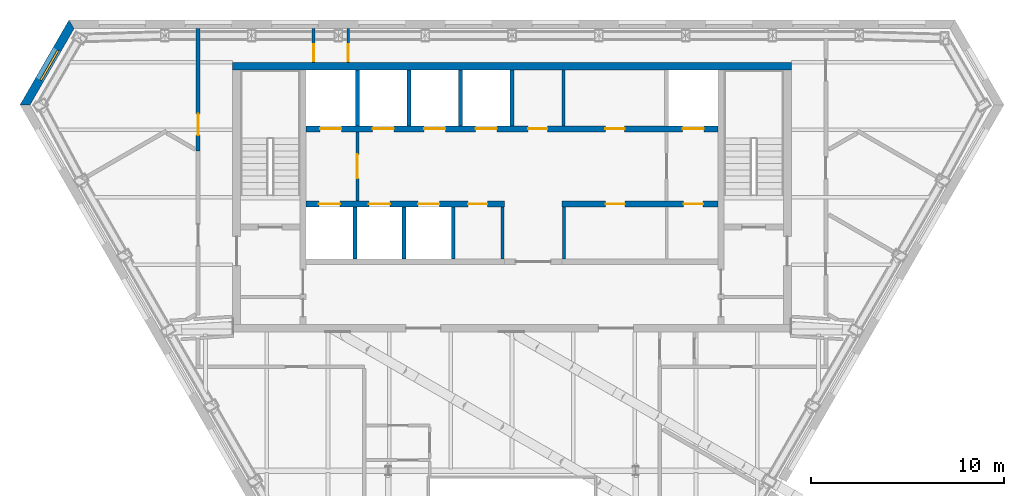
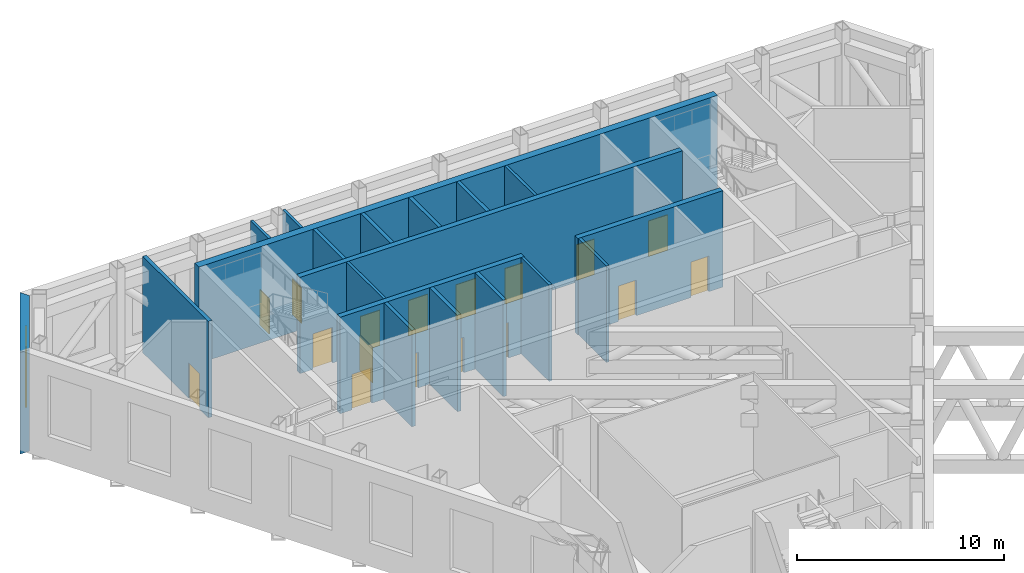
# One storey, part 9 of 14: 19 walls, 17 doors, 1 shading device, 18 openings.
"""IFC4 building model written with IfcOpenShell, lengths in metres."""

from ifc_helpers import new_model, si_unit, direction, frame, frame_2d, origin, place, context, subcontext, project, spatial, polyline, rectangle, outline, extrude, material, layer, layer_set, type_object, element, fill, save


model = new_model("IFC4")

# Units and contexts
model_context = context("Model", 3, precision=1e-05, world=origin(), true_north=direction((0.0, 1.0)))
body_context = subcontext(model_context, "Body", "Model", "MODEL_VIEW")
ifc_project = project(units=[si_unit("LENGTHUNIT", "METRE"), si_unit("AREAUNIT", "SQUARE_METRE"), si_unit("VOLUMEUNIT", "CUBIC_METRE"), si_unit("PLANEANGLEUNIT", "RADIAN"), si_unit("MASSUNIT", "GRAM", prefix="KILO")], contexts=[model_context])

# Site, building, storey
site_placement = place(None, origin())
site = spatial("IfcSite", under=ifc_project, at=site_placement, CompositionType="ELEMENT")
building_placement = place(site_placement, origin())
building = spatial("IfcBuilding", under=site, at=building_placement, Name="Njiva Tower", CompositionType="ELEMENT")
storey_placement = place(building_placement, frame((0.0, 0.0, 292.2)))
storey = spatial("IfcBuildingStorey", under=building, at=storey_placement, Name="L67", CompositionType="ELEMENT", Elevation=292.2)

# Walls
ifc_material_1 = material(Name="Blockwork", Category="masonry")
ifc_layer_1 = layer(ifc_material_1, 0.15)
ifc_layer_set_1 = layer_set([ifc_layer_1], Name="Blockwork")
wall_type_1 = type_object("IfcWallType", Name="WT1 Compartment partition 150", PredefinedType="PARTITIONING", material=ifc_layer_set_1)
wall_1_placement = place(storey_placement, frame((2.675, 14.7, 0.0), z_axis=(0.0, 0.0, 1.0), x_axis=(0.0, 1.0, 0.0)))
element("IfcWall", 1, at=wall_1_placement, inside=storey, type_object=wall_type_1, Name="Partition CN5", PredefinedType="PARTITIONING", context=body_context, shape_type="SweptSolid", body=[
    extrude(rectangle(XDim=2.9, YDim=0.15, at=frame_2d((1.45, 0.0))), origin(), (0.0, 0.0, 1.0), 5.7),
])
for number, where, z_axis, x_axis, name in (
    (2, (-0.5, 7.8, 0.0), (0.0, 0.0, 1.0), (0.0, 1.0, 0.0), "Partition CS4"),
    (3, (2.7, 7.8, 0.0), (0.0, 0.0, 1.0), (0.0, 1.0, 0.0), "Partition CS5"),
):
    element("IfcWall", number, at=place(storey_placement, frame(where, z_axis=z_axis, x_axis=x_axis)), inside=storey, type_object=wall_type_1, Name=name, PredefinedType="PARTITIONING", context=body_context, shape_type="SweptSolid", body=[
        extrude(rectangle(XDim=2.7, YDim=0.15, at=frame_2d((1.35, 0.0))), origin(), (0.0, 0.0, 1.0), 5.7),
    ])
ifc_material_2 = material(Name="Concrete C60/75", Category="concrete")
ifc_layer_2 = layer(ifc_material_2, 0.4)
ifc_layer_set_2 = layer_set([ifc_layer_2], Name="Concrete C60/75")
wall_type_2 = type_object("IfcWallType", Name="WT11 Core wall 400", PredefinedType="SHEAR", material=ifc_layer_set_2)
wall_2_placement = place(storey_placement, frame((-14.5, 17.8, 0.0), z_axis=(0.0, 0.0, 1.0), x_axis=(1.0, 0.0, 0.0)))
element("IfcWall", 4, at=wall_2_placement, inside=storey, type_object=wall_type_2, Name="Core wall north", PredefinedType="SHEAR", context=body_context, shape_type="SweptSolid", body=[
    extrude(rectangle(XDim=29.0, YDim=0.4, at=frame_2d((14.5, 0.0))), origin(), (0.0, 0.0, 1.0), 5.7),
])

# Wall, opening, door
ifc_layer_3 = layer(ifc_material_1, 0.15)
ifc_layer_set_3 = layer_set([ifc_layer_3], Name="Blockwork")
wall_type_3 = type_object("IfcWallType", Name="WT2 Lobby partition 150", PredefinedType="PARTITIONING", material=ifc_layer_set_3)
wall_3_placement = place(storey_placement, frame((-8.025, 10.8, 0.0), z_axis=(0.0, 0.0, 1.0), x_axis=(0.0, 1.0, 0.0)))
wall_3 = element("IfcWall", 5, at=wall_3_placement, inside=storey, type_object=wall_type_3, Name="Firefighting lobby wall A", PredefinedType="PARTITIONING", context=body_context, shape_type="SweptSolid", body=[
    extrude(rectangle(XDim=3.6, YDim=0.15, at=frame_2d((1.8, 0.0))), origin(), (0.0, 0.0, 1.0), 5.7),
])
opening_1_placement = place(wall_3_placement, frame((1.175, 0.0, 0.0)))
opening_1 = element("IfcOpeningElement", 6, at=opening_1_placement, cuts=wall_3, Name="Opening T5-D914", PredefinedType="OPENING", context=body_context, shape_type="SweptSolid", body=[
    extrude(rectangle(XDim=1.25, YDim=2.1, at=frame_2d((0.625, 1.05))), frame((0.0, 0.085, 0.0), z_axis=(0.0, -1.0, 0.0), x_axis=(1.0, 0.0, 0.0)), (0.0, 0.0, 1.0), 0.17),
])
ifc_material_3 = material(Name="Glazed steel fire door", Category="steel")
door_type_1 = type_object("IfcDoorType", Name="D8 Vestibule corridor door 1250x2100 glazed", OperationType="SINGLE_SWING_LEFT", PredefinedType="DOOR", material=ifc_material_3)
door_1_placement = place(opening_1_placement, origin())
door_1 = element("IfcDoor", 7, at=door_1_placement, inside=storey, type_object=door_type_1, Name="Stair vestibule corridor door", OperationType="SINGLE_SWING_RIGHT", OverallHeight=2.1, OverallWidth=1.25, PredefinedType="DOOR", context=body_context, shape_type="SweptSolid", body=[
    extrude(rectangle(XDim=1.25, YDim=2.1, at=frame_2d((0.625, 1.05))), frame((0.0, 0.025, 0.0), z_axis=(0.0, -1.0, 0.0), x_axis=(1.0, 0.0, 0.0)), (0.0, 0.0, 1.0), 0.05),
])
fill(opening_1, door_1)

ifc_material_4 = material(Name="Gypsum board on steel studs", Category="gypsum")
ifc_layer_4 = layer(ifc_material_4, 0.15)
ifc_layer_set_4 = layer_set([ifc_layer_4], Name="Gypsum board on steel studs")
wall_type_4 = type_object("IfcWallType", Name="WT21 Compartment wall 150", PredefinedType="PARTITIONING", material=ifc_layer_set_4)
wall_4_placement = place(storey_placement, frame((-10.3, 18.0, 0.0), z_axis=(0.0, 0.0, 1.0), x_axis=(0.0, 1.0, 0.0)))
wall_4 = element("IfcWall", 8, at=wall_4_placement, inside=storey, type_object=wall_type_4, Name="Partition T5-P013", PredefinedType="PARTITIONING", context=body_context, shape_type="SweptSolid", body=[
    extrude(rectangle(XDim=1.75, YDim=0.15, at=frame_2d((0.875, 0.0))), origin(), (0.0, 0.0, 1.0), 5.7),
])
opening_2_placement = place(wall_4_placement, frame((0.05, 0.0, 0.0)))
opening_2 = element("IfcOpeningElement", 9, at=opening_2_placement, cuts=wall_4, Name="Opening T5-D004", PredefinedType="OPENING", context=body_context, shape_type="SweptSolid", body=[
    extrude(rectangle(XDim=0.9, YDim=2.1, at=frame_2d((0.45, 1.05))), frame((0.0, 0.085, 0.0), z_axis=(0.0, -1.0, 0.0), x_axis=(1.0, 0.0, 0.0)), (0.0, 0.0, 1.0), 0.17),
])
ifc_material_5 = material(Name="Steel fire door set", Category="steel")
door_type_2 = type_object("IfcDoorType", Name="D36 Fire door 900x2100", OperationType="SINGLE_SWING_LEFT", PredefinedType="DOOR", material=ifc_material_5)
door_2_placement = place(opening_2_placement, origin())
door_2 = element("IfcDoor", 10, at=door_2_placement, inside=storey, type_object=door_type_2, Name="Door T5-D004", OperationType="SINGLE_SWING_RIGHT", OverallHeight=2.1, OverallWidth=0.9, PredefinedType="DOOR", context=body_context, shape_type="SweptSolid", body=[
    extrude(rectangle(XDim=0.9, YDim=2.1, at=frame_2d((0.45, 1.05))), frame((0.0, 0.025, 0.0), z_axis=(0.0, -1.0, 0.0), x_axis=(1.0, 0.0, 0.0)), (0.0, 0.0, 1.0), 0.05),
])
fill(opening_2, door_2)

wall_5_placement = place(storey_placement, frame((-8.5, 18.0, 0.0), z_axis=(0.0, 0.0, 1.0), x_axis=(0.0, 1.0, 0.0)))
wall_5 = element("IfcWall", 11, at=wall_5_placement, inside=storey, type_object=wall_type_4, Name="Partition T5-P014", PredefinedType="PARTITIONING", context=body_context, shape_type="SweptSolid", body=[
    extrude(rectangle(XDim=1.75, YDim=0.15, at=frame_2d((0.875, 0.0))), origin(), (0.0, 0.0, 1.0), 5.7),
])
opening_3_placement = place(wall_5_placement, frame((0.05, 0.0, 0.0)))
opening_3 = element("IfcOpeningElement", 12, at=opening_3_placement, cuts=wall_5, Name="Opening T5-D005", PredefinedType="OPENING", context=body_context, shape_type="SweptSolid", body=[
    extrude(rectangle(XDim=0.9, YDim=2.1, at=frame_2d((0.45, 1.05))), frame((0.0, 0.085, 0.0), z_axis=(0.0, -1.0, 0.0), x_axis=(1.0, 0.0, 0.0)), (0.0, 0.0, 1.0), 0.17),
])
door_3_placement = place(opening_3_placement, origin())
door_3 = element("IfcDoor", 13, at=door_3_placement, inside=storey, type_object=door_type_2, Name="Door T5-D005", OperationType="SINGLE_SWING_LEFT", OverallHeight=2.1, OverallWidth=0.9, PredefinedType="DOOR", context=body_context, shape_type="SweptSolid", body=[
    extrude(rectangle(XDim=0.9, YDim=2.1, at=frame_2d((0.45, 1.05))), frame((0.0, 0.025, 0.0), z_axis=(0.0, -1.0, 0.0), x_axis=(1.0, 0.0, 0.0)), (0.0, 0.0, 1.0), 0.05),
])
fill(opening_3, door_3)

ifc_layer_5 = layer(ifc_material_1, 0.2)
ifc_layer_set_5 = layer_set([ifc_layer_5], Name="Blockwork")
wall_type_5 = type_object("IfcWallType", Name="WT23 Refuge wall 200", PredefinedType="PARTITIONING", material=ifc_layer_set_5)
wall_6_placement = place(storey_placement, frame((-16.301, 13.395, 0.0), z_axis=(0.0, 0.0, 1.0), x_axis=(0.00015735641, 0.999999987619, 0.0)))
wall_6 = element("IfcWall", 14, at=wall_6_placement, inside=storey, type_object=wall_type_5, Name="Partition T5-P008", PredefinedType="PARTITIONING", context=body_context, shape_type="SweptSolid", body=[
    extrude(rectangle(XDim=6.355, YDim=0.2, at=frame_2d((3.1775, 0.0))), origin(), (0.0, 0.0, 1.0), 5.7),
])
opening_4_placement = place(wall_6_placement, frame((0.827, 0.0, 0.0)))
opening_4 = element("IfcOpeningElement", 15, at=opening_4_placement, cuts=wall_6, Name="Opening T5-D002", PredefinedType="OPENING", context=body_context, shape_type="SweptSolid", body=[
    extrude(rectangle(XDim=1.1, YDim=2.1, at=frame_2d((0.55, 1.05))), frame((0.0, 0.11, 0.0), z_axis=(0.0, -1.0, 0.0), x_axis=(1.0, 0.0, 0.0)), (0.0, 0.0, 1.0), 0.22),
])
ifc_material_6 = material(Name="Steel door set", Category="steel")
door_type_3 = type_object("IfcDoorType", Name="D35 Refuge door 1100x2100", OperationType="SINGLE_SWING_LEFT", PredefinedType="DOOR", material=ifc_material_6)
door_4_placement = place(opening_4_placement, origin())
door_4 = element("IfcDoor", 16, at=door_4_placement, inside=storey, type_object=door_type_3, Name="Door T5-D002", OperationType="SINGLE_SWING_RIGHT", OverallHeight=2.1, OverallWidth=1.1, PredefinedType="DOOR", context=body_context, shape_type="SweptSolid", body=[
    extrude(rectangle(XDim=1.1, YDim=2.1, at=frame_2d((0.55, 1.05))), frame((0.0, 0.025, 0.0), z_axis=(0.0, -1.0, 0.0), x_axis=(1.0, 0.0, 0.0)), (0.0, 0.0, 1.0), 0.05),
])
fill(opening_4, door_4)

# Walls
ifc_material_7 = material(Name="Concrete C40/50", Category="concrete")
ifc_layer_6 = layer(ifc_material_7, 0.2)
ifc_layer_set_6 = layer_set([ifc_layer_6], Name="Concrete C40/50")
wall_type_6 = type_object("IfcWallType", Name="WT6 Lift shaft wall 200", PredefinedType="SHEAR", material=ifc_layer_set_6)
for number, where, z_axis, x_axis, name in (
    (17, (-8.025, 14.7, 0.0), (0.0, 0.0, 1.0), (0.0, 1.0, 0.0), "Shaft wall CN1"),
    (18, (-5.35, 14.7, 0.0), (0.0, 0.0, 1.0), (0.0, 1.0, 0.0), "Shaft wall CN2"),
    (19, (-2.675, 14.7, 0.0), (0.0, 0.0, 1.0), (0.0, 1.0, 0.0), "Shaft wall CN3"),
    (20, (0.0, 14.7, 0.0), (0.0, 0.0, 1.0), (0.0, 1.0, 0.0), "Shaft wall CN4"),
):
    element("IfcWall", number, at=place(storey_placement, frame(where, z_axis=z_axis, x_axis=x_axis)), inside=storey, type_object=wall_type_6, Name=name, PredefinedType="SHEAR", context=body_context, shape_type="SweptSolid", body=[
        extrude(rectangle(XDim=2.9, YDim=0.2, at=frame_2d((1.45, 0.0))), origin(), (0.0, 0.0, 1.0), 5.7),
    ])
for number, where, z_axis, x_axis, name in (
    (21, (-8.15, 7.8, 0.0), (0.0, 0.0, 1.0), (0.0, 1.0, 0.0), "Shaft wall CS1"),
    (22, (-5.6, 7.8, 0.0), (0.0, 0.0, 1.0), (0.0, 1.0, 0.0), "Shaft wall CS2"),
    (23, (-3.05, 7.8, 0.0), (0.0, 0.0, 1.0), (0.0, 1.0, 0.0), "Shaft wall CS3"),
):
    element("IfcWall", number, at=place(storey_placement, frame(where, z_axis=z_axis, x_axis=x_axis)), inside=storey, type_object=wall_type_6, Name=name, PredefinedType="SHEAR", context=body_context, shape_type="SweptSolid", body=[
        extrude(rectangle(XDim=2.7, YDim=0.2, at=frame_2d((1.35, 0.0))), origin(), (0.0, 0.0, 1.0), 5.7),
    ])

# Wall, openings, doors
ifc_layer_7 = layer(ifc_material_7, 0.3)
ifc_layer_set_7 = layer_set([ifc_layer_7], Name="Concrete C40/50")
wall_type_7 = type_object("IfcWallType", Name="WT7 Lift shaft wall 300", PredefinedType="SHEAR", material=ifc_layer_set_7)
wall_7_placement = place(storey_placement, frame((-10.7, 14.55, 0.0), z_axis=(0.0, 0.0, 1.0), x_axis=(1.0, 0.0, 0.0)))
wall_7 = element("IfcWall", 24, at=wall_7_placement, inside=storey, type_object=wall_type_7, Name="Shaft wall north row lobby side", PredefinedType="SHEAR", context=body_context, shape_type="SweptSolid", body=[
    extrude(rectangle(XDim=21.4, YDim=0.3, at=frame_2d((10.7, 0.0))), origin(), (0.0, 0.0, 1.0), 5.7),
])
opening_5_placement = place(wall_7_placement, frame((0.7375, 0.0, 0.0)))
opening_5 = element("IfcOpeningElement", 25, at=opening_5_placement, cuts=wall_7, Name="Opening T5-D901", PredefinedType="OPENING", context=body_context, shape_type="SweptSolid", body=[
    extrude(rectangle(XDim=1.1, YDim=2.1, at=frame_2d((0.55, 1.05))), frame((0.0, 0.16, 0.0), z_axis=(0.0, -1.0, 0.0), x_axis=(1.0, 0.0, 0.0)), (0.0, 0.0, 1.0), 0.32),
])
opening_6_placement = place(wall_7_placement, frame((3.4625, 0.0, 0.0)))
opening_6 = element("IfcOpeningElement", 26, at=opening_6_placement, cuts=wall_7, Name="Opening T5-D902", PredefinedType="OPENING", context=body_context, shape_type="SweptSolid", body=[
    extrude(rectangle(XDim=1.1, YDim=2.1, at=frame_2d((0.55, 1.05))), frame((0.0, 0.16, 0.0), z_axis=(0.0, -1.0, 0.0), x_axis=(1.0, 0.0, 0.0)), (0.0, 0.0, 1.0), 0.32),
])
opening_7_placement = place(wall_7_placement, frame((6.1375, 0.0, 0.0)))
opening_7 = element("IfcOpeningElement", 27, at=opening_7_placement, cuts=wall_7, Name="Opening T5-D903", PredefinedType="OPENING", context=body_context, shape_type="SweptSolid", body=[
    extrude(rectangle(XDim=1.1, YDim=2.1, at=frame_2d((0.55, 1.05))), frame((0.0, 0.16, 0.0), z_axis=(0.0, -1.0, 0.0), x_axis=(1.0, 0.0, 0.0)), (0.0, 0.0, 1.0), 0.32),
])
opening_8_placement = place(wall_7_placement, frame((8.8125, 0.0, 0.0)))
opening_8 = element("IfcOpeningElement", 28, at=opening_8_placement, cuts=wall_7, Name="Opening T5-D904", PredefinedType="OPENING", context=body_context, shape_type="SweptSolid", body=[
    extrude(rectangle(XDim=1.1, YDim=2.1, at=frame_2d((0.55, 1.05))), frame((0.0, 0.16, 0.0), z_axis=(0.0, -1.0, 0.0), x_axis=(1.0, 0.0, 0.0)), (0.0, 0.0, 1.0), 0.32),
])
opening_9_placement = place(wall_7_placement, frame((19.5625, 0.0, 0.0)))
opening_9 = element("IfcOpeningElement", 29, at=opening_9_placement, cuts=wall_7, Name="Opening T5-D905", PredefinedType="OPENING", context=body_context, shape_type="SweptSolid", body=[
    extrude(rectangle(XDim=1.1, YDim=2.1, at=frame_2d((0.55, 1.05))), frame((0.0, 0.16, 0.0), z_axis=(0.0, -1.0, 0.0), x_axis=(1.0, 0.0, 0.0)), (0.0, 0.0, 1.0), 0.32),
])
opening_10_placement = place(wall_7_placement, frame((11.5375, 0.0, 0.0)))
opening_10 = element("IfcOpeningElement", 30, at=opening_10_placement, cuts=wall_7, Name="Opening T5-D909", PredefinedType="OPENING", context=body_context, shape_type="SweptSolid", body=[
    extrude(rectangle(XDim=1.0, YDim=2.1, at=frame_2d((0.5, 1.05))), frame((0.0, 0.16, 0.0), z_axis=(0.0, -1.0, 0.0), x_axis=(1.0, 0.0, 0.0)), (0.0, 0.0, 1.0), 0.32),
])
opening_11_placement = place(wall_7_placement, frame((15.55, 0.0, 0.0)))
opening_11 = element("IfcOpeningElement", 31, at=opening_11_placement, cuts=wall_7, Name="Opening T5-D910", PredefinedType="OPENING", context=body_context, shape_type="SweptSolid", body=[
    extrude(rectangle(XDim=1.0, YDim=2.1, at=frame_2d((0.5, 1.05))), frame((0.0, 0.16, 0.0), z_axis=(0.0, -1.0, 0.0), x_axis=(1.0, 0.0, 0.0)), (0.0, 0.0, 1.0), 0.32),
])
ifc_material_8 = material(Name="Steel door, painted", Category="steel")
door_type_4 = type_object("IfcDoorType", Name="D5 Steel door 1000x2100", OperationType="SINGLE_SWING_LEFT", PredefinedType="DOOR", material=ifc_material_8)
door_5_placement = place(opening_10_placement, origin())
door_5 = element("IfcDoor", 32, at=door_5_placement, inside=storey, type_object=door_type_4, Name="Mechanical plant room door", OperationType="SINGLE_SWING_LEFT", OverallHeight=2.1, OverallWidth=1.0, PredefinedType="DOOR", context=body_context, shape_type="SweptSolid", body=[
    extrude(rectangle(XDim=1.0, YDim=2.1, at=frame_2d((0.5, 1.05))), frame((0.0, 0.025, 0.0), z_axis=(0.0, -1.0, 0.0), x_axis=(1.0, 0.0, 0.0)), (0.0, 0.0, 1.0), 0.05),
])
fill(opening_10, door_5)
door_6_placement = place(opening_11_placement, origin())
door_6 = element("IfcDoor", 33, at=door_6_placement, inside=storey, type_object=door_type_4, Name="Pump plant room door", OperationType="SINGLE_SWING_LEFT", OverallHeight=2.1, OverallWidth=1.0, PredefinedType="DOOR", context=body_context, shape_type="SweptSolid", body=[
    extrude(rectangle(XDim=1.0, YDim=2.1, at=frame_2d((0.5, 1.05))), frame((0.0, 0.025, 0.0), z_axis=(0.0, -1.0, 0.0), x_axis=(1.0, 0.0, 0.0)), (0.0, 0.0, 1.0), 0.05),
])
fill(opening_11, door_6)
ifc_material_9 = material(Name="Stainless steel sliding door", Category="steel")
door_type_5 = type_object("IfcDoorType", Name="LD Lift landing door 1100x2100", OperationType="SLIDING_TO_LEFT", PredefinedType="DOOR", material=ifc_material_9)
door_7_placement = place(opening_5_placement, origin())
door_7 = element("IfcDoor", 34, at=door_7_placement, inside=storey, type_object=door_type_5, Name="Lift landing door FF1", OperationType="SLIDING_TO_LEFT", OverallHeight=2.1, OverallWidth=1.1, PredefinedType="DOOR", context=body_context, shape_type="SweptSolid", body=[
    extrude(rectangle(XDim=1.1, YDim=2.1, at=frame_2d((0.55, 1.05))), frame((0.0, 0.025, 0.0), z_axis=(0.0, -1.0, 0.0), x_axis=(1.0, 0.0, 0.0)), (0.0, 0.0, 1.0), 0.05),
])
fill(opening_5, door_7)
door_8_placement = place(opening_6_placement, origin())
door_8 = element("IfcDoor", 35, at=door_8_placement, inside=storey, type_object=door_type_5, Name="Lift landing door HB4", OperationType="SLIDING_TO_LEFT", OverallHeight=2.1, OverallWidth=1.1, PredefinedType="DOOR", context=body_context, shape_type="SweptSolid", body=[
    extrude(rectangle(XDim=1.1, YDim=2.1, at=frame_2d((0.55, 1.05))), frame((0.0, 0.025, 0.0), z_axis=(0.0, -1.0, 0.0), x_axis=(1.0, 0.0, 0.0)), (0.0, 0.0, 1.0), 0.05),
])
fill(opening_6, door_8)
door_9_placement = place(opening_7_placement, origin())
door_9 = element("IfcDoor", 36, at=door_9_placement, inside=storey, type_object=door_type_5, Name="Lift landing door HB5", OperationType="SLIDING_TO_LEFT", OverallHeight=2.1, OverallWidth=1.1, PredefinedType="DOOR", context=body_context, shape_type="SweptSolid", body=[
    extrude(rectangle(XDim=1.1, YDim=2.1, at=frame_2d((0.55, 1.05))), frame((0.0, 0.025, 0.0), z_axis=(0.0, -1.0, 0.0), x_axis=(1.0, 0.0, 0.0)), (0.0, 0.0, 1.0), 0.05),
])
fill(opening_7, door_9)
door_10_placement = place(opening_8_placement, origin())
door_10 = element("IfcDoor", 37, at=door_10_placement, inside=storey, type_object=door_type_5, Name="Lift landing door HB6", OperationType="SLIDING_TO_LEFT", OverallHeight=2.1, OverallWidth=1.1, PredefinedType="DOOR", context=body_context, shape_type="SweptSolid", body=[
    extrude(rectangle(XDim=1.1, YDim=2.1, at=frame_2d((0.55, 1.05))), frame((0.0, 0.025, 0.0), z_axis=(0.0, -1.0, 0.0), x_axis=(1.0, 0.0, 0.0)), (0.0, 0.0, 1.0), 0.05),
])
fill(opening_8, door_10)
door_11_placement = place(opening_9_placement, origin())
door_11 = element("IfcDoor", 38, at=door_11_placement, inside=storey, type_object=door_type_5, Name="Lift landing door FF2", OperationType="SLIDING_TO_LEFT", OverallHeight=2.1, OverallWidth=1.1, PredefinedType="DOOR", context=body_context, shape_type="SweptSolid", body=[
    extrude(rectangle(XDim=1.1, YDim=2.1, at=frame_2d((0.55, 1.05))), frame((0.0, 0.025, 0.0), z_axis=(0.0, -1.0, 0.0), x_axis=(1.0, 0.0, 0.0)), (0.0, 0.0, 1.0), 0.05),
])
fill(opening_9, door_11)

wall_8_placement = place(storey_placement, frame((-10.7, 10.65, 0.0), z_axis=(0.0, 0.0, 1.0), x_axis=(1.0, 0.0, 0.0)))
wall_8 = element("IfcWall", 39, at=wall_8_placement, inside=storey, type_object=wall_type_7, Name="Shaft wall south row lobby side W", PredefinedType="SHEAR", context=body_context, shape_type="SweptSolid", body=[
    extrude(rectangle(XDim=10.3, YDim=0.3, at=frame_2d((5.15, 0.0))), origin(), (0.0, 0.0, 1.0), 5.7),
])
opening_12_placement = place(wall_8_placement, frame((0.675, 0.0, 0.0)))
opening_12 = element("IfcOpeningElement", 40, at=opening_12_placement, cuts=wall_8, Name="Opening T5-D906", PredefinedType="OPENING", context=body_context, shape_type="SweptSolid", body=[
    extrude(rectangle(XDim=1.1, YDim=2.1, at=frame_2d((0.55, 1.05))), frame((0.0, 0.16, 0.0), z_axis=(0.0, -1.0, 0.0), x_axis=(1.0, 0.0, 0.0)), (0.0, 0.0, 1.0), 0.32),
])
opening_13_placement = place(wall_8_placement, frame((3.275, 0.0, 0.0)))
opening_13 = element("IfcOpeningElement", 41, at=opening_13_placement, cuts=wall_8, Name="Opening T5-D907", PredefinedType="OPENING", context=body_context, shape_type="SweptSolid", body=[
    extrude(rectangle(XDim=1.1, YDim=2.1, at=frame_2d((0.55, 1.05))), frame((0.0, 0.16, 0.0), z_axis=(0.0, -1.0, 0.0), x_axis=(1.0, 0.0, 0.0)), (0.0, 0.0, 1.0), 0.32),
])
opening_14_placement = place(wall_8_placement, frame((5.825, 0.0, 0.0)))
opening_14 = element("IfcOpeningElement", 42, at=opening_14_placement, cuts=wall_8, Name="Opening T5-D908", PredefinedType="OPENING", context=body_context, shape_type="SweptSolid", body=[
    extrude(rectangle(XDim=1.1, YDim=2.1, at=frame_2d((0.55, 1.05))), frame((0.0, 0.16, 0.0), z_axis=(0.0, -1.0, 0.0), x_axis=(1.0, 0.0, 0.0)), (0.0, 0.0, 1.0), 0.32),
])
opening_15_placement = place(wall_8_placement, frame((8.425, 0.0, 0.0)))
opening_15 = element("IfcOpeningElement", 43, at=opening_15_placement, cuts=wall_8, Name="Opening T5-D911", PredefinedType="OPENING", context=body_context, shape_type="SweptSolid", body=[
    extrude(rectangle(XDim=1.0, YDim=2.1, at=frame_2d((0.5, 1.05))), frame((0.0, 0.16, 0.0), z_axis=(0.0, -1.0, 0.0), x_axis=(1.0, 0.0, 0.0)), (0.0, 0.0, 1.0), 0.32),
])
door_12_placement = place(opening_15_placement, origin())
door_12 = element("IfcDoor", 44, at=door_12_placement, inside=storey, type_object=door_type_4, Name="Ventilation plant room door", OperationType="SINGLE_SWING_RIGHT", OverallHeight=2.1, OverallWidth=1.0, PredefinedType="DOOR", context=body_context, shape_type="SweptSolid", body=[
    extrude(rectangle(XDim=1.0, YDim=2.1, at=frame_2d((0.5, 1.05))), frame((0.0, 0.025, 0.0), z_axis=(0.0, -1.0, 0.0), x_axis=(1.0, 0.0, 0.0)), (0.0, 0.0, 1.0), 0.05),
])
fill(opening_15, door_12)
door_13_placement = place(opening_12_placement, origin())
door_13 = element("IfcDoor", 45, at=door_13_placement, inside=storey, type_object=door_type_5, Name="Lift landing door HB1", OperationType="SLIDING_TO_LEFT", OverallHeight=2.1, OverallWidth=1.1, PredefinedType="DOOR", context=body_context, shape_type="SweptSolid", body=[
    extrude(rectangle(XDim=1.1, YDim=2.1, at=frame_2d((0.55, 1.05))), frame((0.0, 0.025, 0.0), z_axis=(0.0, -1.0, 0.0), x_axis=(1.0, 0.0, 0.0)), (0.0, 0.0, 1.0), 0.05),
])
fill(opening_12, door_13)
door_14_placement = place(opening_13_placement, origin())
door_14 = element("IfcDoor", 46, at=door_14_placement, inside=storey, type_object=door_type_5, Name="Lift landing door HB2", OperationType="SLIDING_TO_LEFT", OverallHeight=2.1, OverallWidth=1.1, PredefinedType="DOOR", context=body_context, shape_type="SweptSolid", body=[
    extrude(rectangle(XDim=1.1, YDim=2.1, at=frame_2d((0.55, 1.05))), frame((0.0, 0.025, 0.0), z_axis=(0.0, -1.0, 0.0), x_axis=(1.0, 0.0, 0.0)), (0.0, 0.0, 1.0), 0.05),
])
fill(opening_13, door_14)
door_15_placement = place(opening_14_placement, origin())
door_15 = element("IfcDoor", 47, at=door_15_placement, inside=storey, type_object=door_type_5, Name="Lift landing door HB3", OperationType="SLIDING_TO_LEFT", OverallHeight=2.1, OverallWidth=1.1, PredefinedType="DOOR", context=body_context, shape_type="SweptSolid", body=[
    extrude(rectangle(XDim=1.1, YDim=2.1, at=frame_2d((0.55, 1.05))), frame((0.0, 0.025, 0.0), z_axis=(0.0, -1.0, 0.0), x_axis=(1.0, 0.0, 0.0)), (0.0, 0.0, 1.0), 0.05),
])
fill(opening_14, door_15)

wall_9_placement = place(storey_placement, frame((2.6, 10.65, 0.0), z_axis=(0.0, 0.0, 1.0), x_axis=(1.0, 0.0, 0.0)))
wall_9 = element("IfcWall", 48, at=wall_9_placement, inside=storey, type_object=wall_type_7, Name="Shaft wall south row lobby side E", PredefinedType="SHEAR", context=body_context, shape_type="SweptSolid", body=[
    extrude(rectangle(XDim=8.1, YDim=0.3, at=frame_2d((4.05, 0.0))), origin(), (0.0, 0.0, 1.0), 5.7),
])
opening_16_placement = place(wall_9_placement, frame((2.2667, 0.0, 0.0)))
opening_16 = element("IfcOpeningElement", 49, at=opening_16_placement, cuts=wall_9, Name="Opening T5-D912", PredefinedType="OPENING", context=body_context, shape_type="SweptSolid", body=[
    extrude(rectangle(XDim=1.0, YDim=2.1, at=frame_2d((0.5, 1.05))), frame((0.0, 0.16, 0.0), z_axis=(0.0, -1.0, 0.0), x_axis=(1.0, 0.0, 0.0)), (0.0, 0.0, 1.0), 0.32),
])
opening_17_placement = place(wall_9_placement, frame((6.3167, 0.0, 0.0)))
opening_17 = element("IfcOpeningElement", 50, at=opening_17_placement, cuts=wall_9, Name="Opening T5-D913", PredefinedType="OPENING", context=body_context, shape_type="SweptSolid", body=[
    extrude(rectangle(XDim=1.0, YDim=2.1, at=frame_2d((0.5, 1.05))), frame((0.0, 0.16, 0.0), z_axis=(0.0, -1.0, 0.0), x_axis=(1.0, 0.0, 0.0)), (0.0, 0.0, 1.0), 0.32),
])
door_16_placement = place(opening_16_placement, origin())
door_16 = element("IfcDoor", 51, at=door_16_placement, inside=storey, type_object=door_type_4, Name="Plant store door", OperationType="SINGLE_SWING_LEFT", OverallHeight=2.1, OverallWidth=1.0, PredefinedType="DOOR", context=body_context, shape_type="SweptSolid", body=[
    extrude(rectangle(XDim=1.0, YDim=2.1, at=frame_2d((0.5, 1.05))), frame((0.0, 0.025, 0.0), z_axis=(0.0, -1.0, 0.0), x_axis=(1.0, 0.0, 0.0)), (0.0, 0.0, 1.0), 0.05),
])
fill(opening_16, door_16)
door_17_placement = place(opening_17_placement, origin())
door_17 = element("IfcDoor", 52, at=door_17_placement, inside=storey, type_object=door_type_4, Name="Plant store room door", OperationType="SINGLE_SWING_RIGHT", OverallHeight=2.1, OverallWidth=1.0, PredefinedType="DOOR", context=body_context, shape_type="SweptSolid", body=[
    extrude(rectangle(XDim=1.0, YDim=2.1, at=frame_2d((0.5, 1.05))), frame((0.0, 0.025, 0.0), z_axis=(0.0, -1.0, 0.0), x_axis=(1.0, 0.0, 0.0)), (0.0, 0.0, 1.0), 0.05),
])
fill(opening_17, door_17)

# Wall, opening, shading device
ifc_material_10 = material(Name="Brick masonry, buff", Category="masonry")
ifc_layer_8 = layer(ifc_material_10, 0.45)
ifc_layer_set_8 = layer_set([ifc_layer_8], Name="Brick masonry, buff")
wall_type_8 = type_object("IfcWallType", Name="WT94 Brick pier and spandrel wall 450, buff", PredefinedType="SOLIDWALL", material=ifc_layer_set_8)
wall_10_placement = place(storey_placement, frame((-22.8688, 19.9772, -0.4), z_axis=(0.0, 0.0, 1.0), x_axis=(-0.499997839997, -0.866026650859, 0.0)))
wall_10 = element("IfcWall", 53, at=wall_10_placement, inside=storey, type_object=wall_type_8, Name="Facade wall NW", PredefinedType="SOLIDWALL", context=body_context, shape_type="SweptSolid", body=[
    extrude(outline(polyline([(-0.1299, -0.225), (4.9601, -0.225), (4.7003, 0.225), (0.1299, 0.225), (-0.1299, -0.225)])), origin(), (0.0, 0.0, 1.0), 6.0),
])
opening_18_placement = place(wall_10_placement, frame((1.5151, 0.0, 1.6)))
opening_18 = element("IfcOpeningElement", 54, at=opening_18_placement, cuts=wall_10, Name="Opening T5-LV11", PredefinedType="OPENING", context=body_context, shape_type="SweptSolid", body=[
    extrude(rectangle(XDim=1.8, YDim=3.6, at=frame_2d((0.9, 1.8))), frame((0.0, 0.235, 0.0), z_axis=(0.0, -1.0, 0.0), x_axis=(1.0, 0.0, 0.0)), (0.0, 0.0, 1.0), 0.47),
])
ifc_material_11 = material(Name="Aluminium louvre blades", Category="aluminium")
shading_device_type = type_object("IfcShadingDeviceType", Name="LV2 Plant louvre 1800x3600", PredefinedType="JALOUSIE", material=ifc_material_11)
shading_device_placement = place(opening_18_placement, origin())
shading_device = element("IfcShadingDevice", 55, at=shading_device_placement, inside=storey, type_object=shading_device_type, Name="Plant louvre", PredefinedType="JALOUSIE", context=body_context, shape_type="SweptSolid", body=[
    extrude(rectangle(XDim=1.8, YDim=3.6, at=frame_2d((0.9, 1.8))), frame((0.0, 0.125, 0.0), z_axis=(0.0, -1.0, 0.0), x_axis=(1.0, 0.0, 0.0)), (0.0, 0.0, 1.0), 0.1),
])
fill(opening_18, shading_device)

save(model, "model.ifc")
